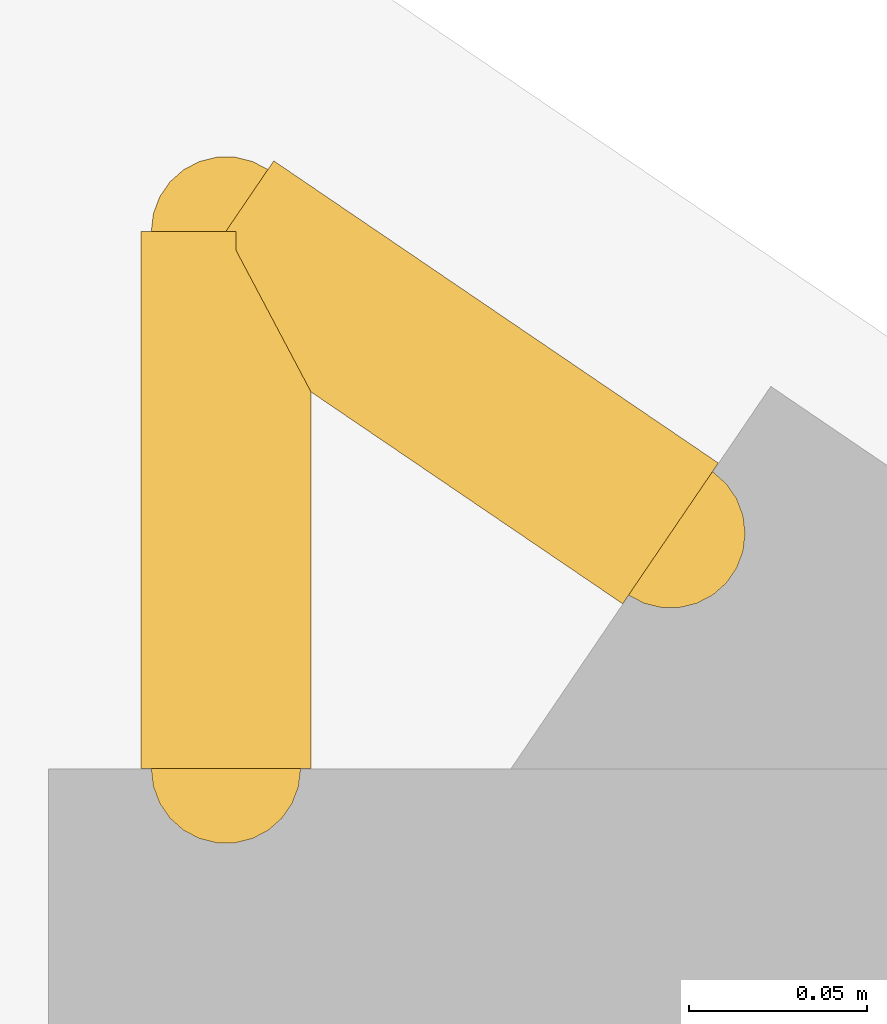
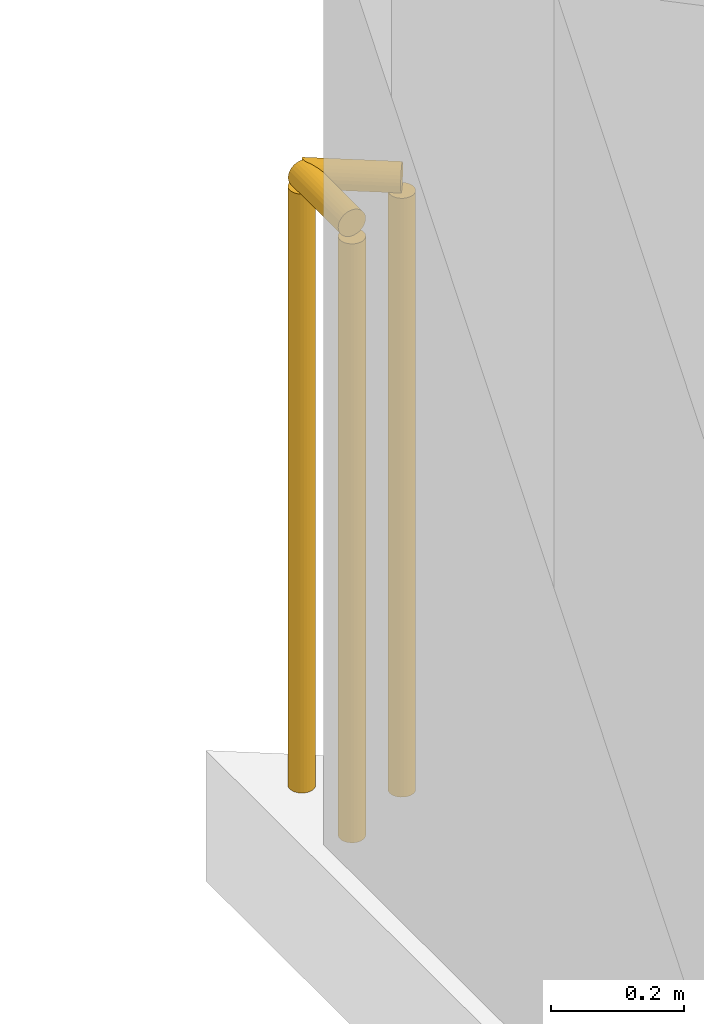
# One storey, part 19 of 20: 2 railings.
"""IFC4 building model written with IfcOpenShell, lengths in metres."""

import ifcopenshell
import ifcopenshell.guid

model = None  # the IFC model being written
_history = None  # IfcOwnerHistory: only IFC2X3 demands one
_inside = {}  # id of a spatial element -> (the spatial element, [elements in it])
_under = {}  # id of a project, library or spatial element -> (it, [spatial elements below it])
_declared = {}  # id of a project -> (the project, [libraries it declares])
_typed = {}  # id of a type object -> (the type object, [elements of that type])
_made_of = {}  # id of a material, layer set ... -> (it, [elements and type objects made of it])


def new_model(schema):
    """Start an empty IFC model of exactly this schema.

    Asked for "IFC4X3", IfcOpenShell would pick the latest addendum, in which some entities
    have other attributes; the version numbers below select the first issue.
    IFC2X3 requires an IfcOwnerHistory on every rooted entity: one is made here for all.
    """
    global model, _history
    if schema == "IFC4X3":
        model = ifcopenshell.file(schema_version=(4, 3, 0, 0))
    else:
        model = ifcopenshell.file(schema=schema)
    _inside.clear()
    _under.clear()
    _declared.clear()
    _typed.clear()
    _made_of.clear()
    _history = None
    if model.schema == "IFC2X3":
        org = make("IfcOrganization", Name="unknown")
        user = make(
            "IfcPersonAndOrganization",
            ThePerson=make("IfcPerson", FamilyName="unknown"),
            TheOrganization=org,
        )
        app = make(
            "IfcApplication",
            ApplicationDeveloper=org,
            Version="unknown",
            ApplicationFullName="unknown",
            ApplicationIdentifier="unknown",
        )
        _history = make(
            "IfcOwnerHistory",
            OwningUser=user,
            OwningApplication=app,
            ChangeAction="ADDED",
            CreationDate=0,
        )
    return model


def make(cls, **values):
    """One entity of the class cls with the attributes given. An attribute that is None is left unset."""
    return model.create_entity(
        cls, **{name: value for name, value in values.items() if value is not None}
    )


def rooted(cls, **values):
    """An entity with a GlobalId (a new one), such as an element, a storey or a relation."""
    return make(cls, GlobalId=ifcopenshell.guid.new(), OwnerHistory=_history, **values)


def si_unit(unit_type, name, prefix=None):
    """IfcSIUnit, for example si_unit("LENGTHUNIT", "METRE", prefix="MILLI")."""
    return make("IfcSIUnit", UnitType=unit_type, Prefix=prefix, Name=name)


def assignment(units):
    """IfcUnitAssignment: the units of a project."""
    return None if units is None else make("IfcUnitAssignment", Units=units)


def point(xyz):
    """IfcCartesianPoint."""
    return None if xyz is None else make("IfcCartesianPoint", Coordinates=xyz)


def direction(xyz):
    """IfcDirection."""
    return None if xyz is None else make("IfcDirection", DirectionRatios=xyz)


def frame(location, z_axis=None, x_axis=None):
    """IfcAxis2Placement3D, a coordinate frame: its origin and axes. An axis left out is left unset."""
    return make(
        "IfcAxis2Placement3D",
        Location=point(location),
        Axis=direction(z_axis),
        RefDirection=direction(x_axis),
    )


def frame_2d(location, x_axis=None):
    """IfcAxis2Placement2D, a coordinate frame in the plane: its origin and x axis."""
    return make(
        "IfcAxis2Placement2D", Location=point(location), RefDirection=direction(x_axis)
    )


def origin():
    """The frame at (0, 0, 0) with its axes left unset."""
    return frame((0.0, 0.0, 0.0))


def origin_2d():
    """The frame at (0, 0) in the plane with its x axis left unset."""
    return frame_2d((0.0, 0.0))


def place(relative_to, where):
    """IfcLocalPlacement: puts the frame where relative to a parent placement (None: the world)."""
    return make(
        "IfcLocalPlacement", PlacementRelTo=relative_to, RelativePlacement=where
    )


def context(
    kind, dimensions, precision=None, world=None, true_north=None, identifier=None
):
    """IfcGeometricRepresentationContext, for example the 3D "Model" context."""
    return make(
        "IfcGeometricRepresentationContext",
        ContextIdentifier=identifier,
        ContextType=kind,
        CoordinateSpaceDimension=dimensions,
        Precision=precision,
        WorldCoordinateSystem=world,
        TrueNorth=true_north,
    )


def subcontext(parent, identifier, kind, view, scale=None):
    """IfcGeometricRepresentationSubContext, for example "Body" below "Model"."""
    return make(
        "IfcGeometricRepresentationSubContext",
        ContextIdentifier=identifier,
        ContextType=kind,
        ParentContext=parent,
        TargetScale=scale,
        TargetView=view,
    )


def project(units=None, contexts=None):
    """IfcProject with its units and contexts."""
    return rooted(
        "IfcProject",
        Name="project",
        RepresentationContexts=contexts,
        UnitsInContext=assignment(units),
    )


def spatial(cls, under=None, at=None, **own):
    """A site, building, storey or space (cls), placed at a placement, below another one or the project."""
    s = rooted(cls, ObjectPlacement=at, **own)
    if under is not None:
        _under.setdefault(under.id(), (under, []))[1].append(s)
    return s


def profile(cls, at=None, kind="AREA", **sizes):
    """A parametric profile (cls). Its sizes go by their IFC names, for example OverallWidth=200.0."""
    return make(cls, ProfileType=kind, Position=at, **sizes)


def circle(**sizes):
    """IfcCircleProfileDef."""
    return profile("IfcCircleProfileDef", **sizes)


def extrude(swept, where, along, depth):
    """IfcExtrudedAreaSolid: the profile swept, set in the frame where, extruded along a direction by depth."""
    return make(
        "IfcExtrudedAreaSolid",
        SweptArea=swept,
        Position=where,
        ExtrudedDirection=direction(along),
        Depth=depth,
    )


def shape(context_of_items, identifier, shape_type, items):
    """IfcShapeRepresentation: the items that make up one representation, for example the "Body"."""
    return make(
        "IfcShapeRepresentation",
        ContextOfItems=context_of_items,
        RepresentationIdentifier=identifier,
        RepresentationType=shape_type,
        Items=items,
    )


def material(Name=None, Category=None):
    """IfcMaterial."""
    return make("IfcMaterial", Name=Name, Category=Category)


def made_of(thing, what):
    """Note that an element or type object is made of a material, layer set ...; save() writes the relation."""
    if what is not None:
        _made_of.setdefault(what.id(), (what, []))[1].append(thing)
    return thing


def type_object(cls, material=None, **own):
    """A type object (cls), such as IfcWallType, which elements share."""
    return made_of(rooted(cls, **own), material)


def element(
    cls,
    number,
    at=None,
    inside=None,
    cuts=None,
    type_object=None,
    material=None,
    context=None,
    identifier="Body",
    shape_type=None,
    held_by="IfcProductDefinitionShape",
    body=None,
    shapes=None,
    **own,
):
    """One element of the class cls, such as IfcWall. Its Tag is "e" and its number.

    at: its placement. inside: the storey or other place that contains it. cuts: it is an
    opening in that element (IfcRelVoidsElement). A single representation is given by context,
    identifier, shape_type and body (its items); several are given by shapes. held_by: the class
    of the entity that holds the representations. save() writes the other relations.
    """
    e = rooted(cls, Tag="e%d" % number, ObjectPlacement=at, **own)
    if body is not None:
        shapes = [shape(context, identifier, shape_type, body)]
    if shapes is not None:
        e.Representation = make(held_by, Representations=shapes)
    if inside is not None:
        _inside.setdefault(inside.id(), (inside, []))[1].append(e)
    if cuts is not None:
        rooted(
            "IfcRelVoidsElement", RelatingBuildingElement=cuts, RelatedOpeningElement=e
        )
    if type_object is not None:
        _typed.setdefault(type_object.id(), (type_object, []))[1].append(e)
    return made_of(e, material)


def aggregate(whole, parts):
    """IfcRelAggregates: a whole, such as a stair, and the parts it consists of."""
    return rooted("IfcRelAggregates", RelatingObject=whole, RelatedObjects=parts)


def save(model, path):
    """Write the relations noted so far, then the file.

    IfcRelAggregates (storeys below a building ...), IfcRelContainedInSpatialStructure (elements
    in a storey), IfcRelDefinesByType, IfcRelAssociatesMaterial and IfcRelDeclares: one each for
    every whole, place, type object, material and project.
    """
    for whole, parts in _under.values():
        aggregate(whole, parts)
    for where, things in _inside.values():
        rooted(
            "IfcRelContainedInSpatialStructure",
            RelatedElements=things,
            RelatingStructure=where,
        )
    for kind, things in _typed.values():
        rooted("IfcRelDefinesByType", RelatedObjects=things, RelatingType=kind)
    for what, things in _made_of.values():
        rooted("IfcRelAssociatesMaterial", RelatedObjects=things, RelatingMaterial=what)
    for by, libraries in _declared.values():
        rooted("IfcRelDeclares", RelatingContext=by, RelatedDefinitions=libraries)
    model.write(path)


model = new_model("IFC4")

# Units and contexts
model_context = context("Model", 3, precision=1e-05, world=origin(), true_north=direction((0.0, 1.0)))
body_context = subcontext(model_context, "Body", "Model", "MODEL_VIEW")
ifc_project = project(units=[si_unit("LENGTHUNIT", "METRE"), si_unit("AREAUNIT", "SQUARE_METRE"), si_unit("VOLUMEUNIT", "CUBIC_METRE"), si_unit("PLANEANGLEUNIT", "RADIAN"), si_unit("MASSUNIT", "GRAM", prefix="KILO")], contexts=[model_context])

# Site, building, storey
site_placement = place(None, origin())
site = spatial("IfcSite", under=ifc_project, at=site_placement, CompositionType="ELEMENT")
building_placement = place(site_placement, origin())
building = spatial("IfcBuilding", under=site, at=building_placement, Name="Varnakote Quay Hospital", CompositionType="ELEMENT")
storey_placement = place(building_placement, frame((0.0, 0.0, 26.449951171875)))
storey = spatial("IfcBuildingStorey", under=building, at=storey_placement, Name="L06", CompositionType="ELEMENT", Elevation=26.449951171875)

# Railings
ifc_material = material(Name="Anodised aluminium 6063-T6 Bronze", Category="aluminium")
railing_type = type_object("IfcRailingType", Name="RLG-EXT-GUARD-1150", PredefinedType="GUARDRAIL", material=ifc_material)
railing_1_placement = place(storey_placement, frame((2.679931640625, 43.497802734375, 0.0)))
element("IfcRailing", 1, at=railing_1_placement, inside=storey, type_object=railing_type, Name="L06 Slab Edge Perimeter Safety Guard", PredefinedType="GUARDRAIL", context=body_context, shape_type="SweptSolid", body=[
    extrude(circle(Radius=0.02392578125, at=origin_2d()), frame((0.0, 0.0, 1.1259765625), z_axis=(0.0, 1.0, 0.0), x_axis=(-1.0, 0.0, 0.0)), (0.0, 0.0, 1.0), 0.151123046875),
    extrude(circle(Radius=0.02099609375, at=origin_2d()), origin(), (0.0, 0.0, 1.0), 1.101806640625),
    extrude(circle(Radius=0.02099609375, at=origin_2d()), frame((0.0, 0.151123046875, 0.0)), (0.0, 0.0, 1.0), 1.101806640625),
])
railing_2_placement = place(storey_placement, frame((2.679931640625, 43.64892578125, 0.0)))
element("IfcRailing", 2, at=railing_2_placement, inside=storey, type_object=railing_type, Name="L06 Slab Edge Perimeter Safety Guard", PredefinedType="GUARDRAIL", context=body_context, shape_type="SweptSolid", body=[
    extrude(circle(Radius=0.02392578125, at=origin_2d()), frame((0.0, 0.0, 1.1259765625), z_axis=(0.827046660574, -0.562133277109, 0.0), x_axis=(0.562133277109, 0.827046660574, 0.0)), (0.0, 0.0, 1.0), 0.151123046875),
    extrude(circle(Radius=0.02099609375, at=origin_2d()), origin(), (0.0, 0.0, 1.0), 1.101806640625),
    extrude(circle(Radius=0.02099609375, at=origin_2d()), frame((0.125, -0.0849609375, 0.0)), (0.0, 0.0, 1.0), 1.101806640625),
])

save(model, "model.ifc")
